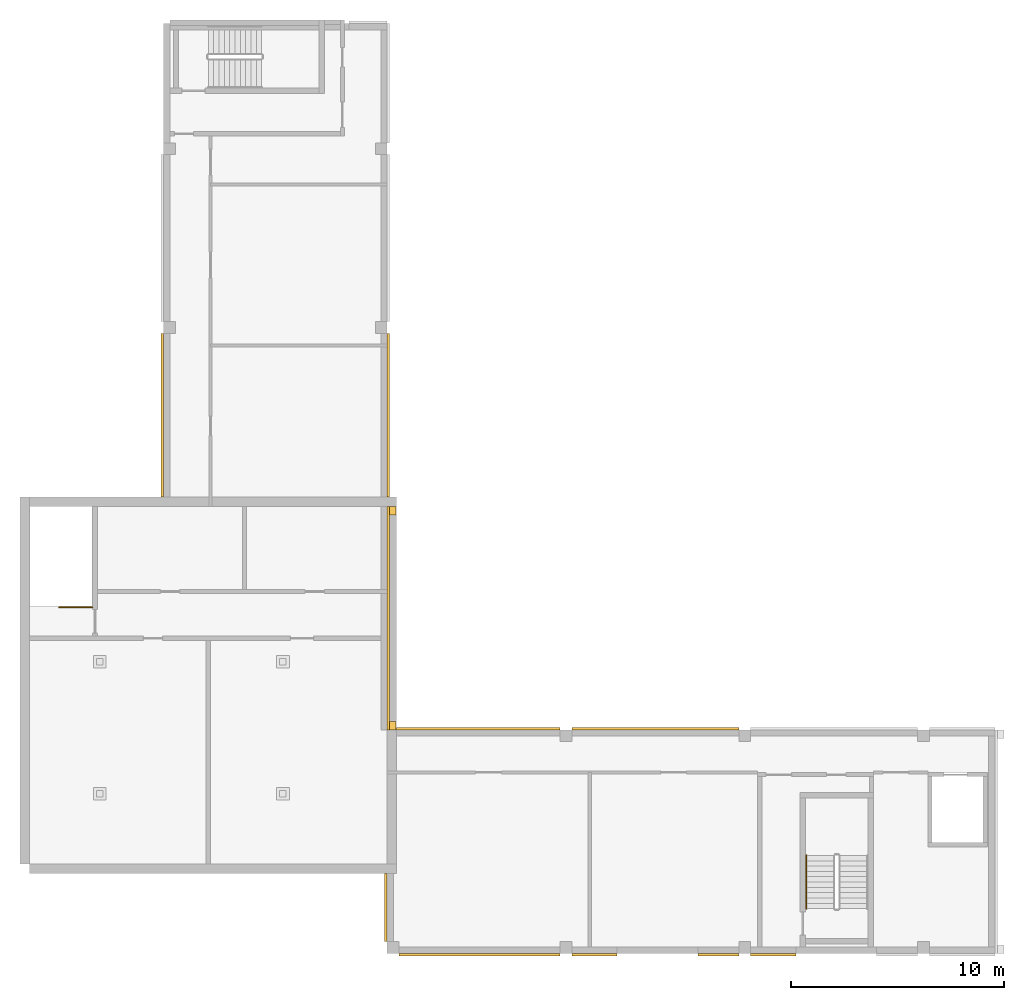
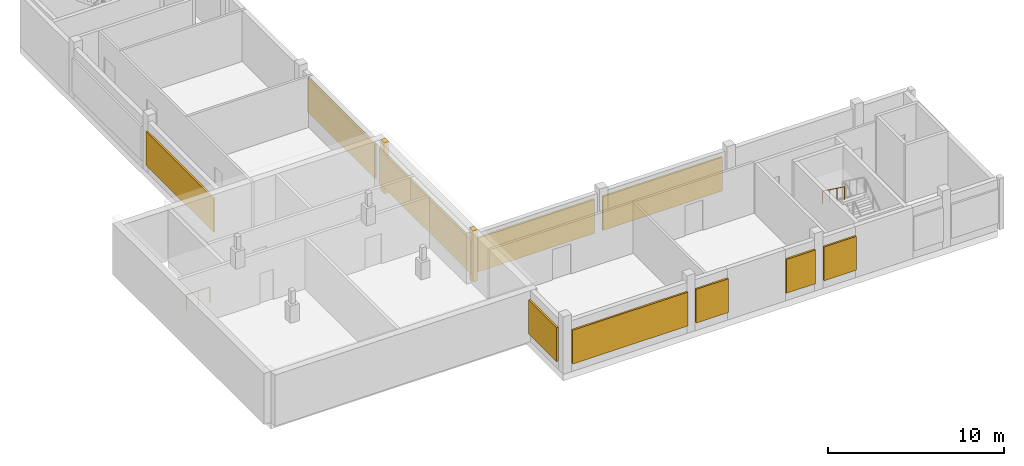
# One storey, part 3 of 5: 12 coverings, 2 railings.
"""IFC4 building model written with IfcOpenShell, lengths in metres."""

import ifcopenshell
import ifcopenshell.guid

model = None  # the IFC model being written
_history = None  # IfcOwnerHistory: only IFC2X3 demands one
_inside = {}  # id of a spatial element -> (the spatial element, [elements in it])
_under = {}  # id of a project, library or spatial element -> (it, [spatial elements below it])
_declared = {}  # id of a project -> (the project, [libraries it declares])
_typed = {}  # id of a type object -> (the type object, [elements of that type])
_made_of = {}  # id of a material, layer set ... -> (it, [elements and type objects made of it])


def new_model(schema):
    """Start an empty IFC model of exactly this schema.

    Asked for "IFC4X3", IfcOpenShell would pick the latest addendum, in which some entities
    have other attributes; the version numbers below select the first issue.
    IFC2X3 requires an IfcOwnerHistory on every rooted entity: one is made here for all.
    """
    global model, _history
    if schema == "IFC4X3":
        model = ifcopenshell.file(schema_version=(4, 3, 0, 0))
    else:
        model = ifcopenshell.file(schema=schema)
    _inside.clear()
    _under.clear()
    _declared.clear()
    _typed.clear()
    _made_of.clear()
    _history = None
    if model.schema == "IFC2X3":
        org = make("IfcOrganization", Name="unknown")
        user = make(
            "IfcPersonAndOrganization",
            ThePerson=make("IfcPerson", FamilyName="unknown"),
            TheOrganization=org,
        )
        app = make(
            "IfcApplication",
            ApplicationDeveloper=org,
            Version="unknown",
            ApplicationFullName="unknown",
            ApplicationIdentifier="unknown",
        )
        _history = make(
            "IfcOwnerHistory",
            OwningUser=user,
            OwningApplication=app,
            ChangeAction="ADDED",
            CreationDate=0,
        )
    return model


def make(cls, **values):
    """One entity of the class cls with the attributes given. An attribute that is None is left unset."""
    return model.create_entity(
        cls, **{name: value for name, value in values.items() if value is not None}
    )


def rooted(cls, **values):
    """An entity with a GlobalId (a new one), such as an element, a storey or a relation."""
    return make(cls, GlobalId=ifcopenshell.guid.new(), OwnerHistory=_history, **values)


def si_unit(unit_type, name, prefix=None):
    """IfcSIUnit, for example si_unit("LENGTHUNIT", "METRE", prefix="MILLI")."""
    return make("IfcSIUnit", UnitType=unit_type, Prefix=prefix, Name=name)


def assignment(units):
    """IfcUnitAssignment: the units of a project."""
    return None if units is None else make("IfcUnitAssignment", Units=units)


def point(xyz):
    """IfcCartesianPoint."""
    return None if xyz is None else make("IfcCartesianPoint", Coordinates=xyz)


def direction(xyz):
    """IfcDirection."""
    return None if xyz is None else make("IfcDirection", DirectionRatios=xyz)


def frame(location, z_axis=None, x_axis=None):
    """IfcAxis2Placement3D, a coordinate frame: its origin and axes. An axis left out is left unset."""
    return make(
        "IfcAxis2Placement3D",
        Location=point(location),
        Axis=direction(z_axis),
        RefDirection=direction(x_axis),
    )


def frame_2d(location, x_axis=None):
    """IfcAxis2Placement2D, a coordinate frame in the plane: its origin and x axis."""
    return make(
        "IfcAxis2Placement2D", Location=point(location), RefDirection=direction(x_axis)
    )


def origin():
    """The frame at (0, 0, 0) with its axes left unset."""
    return frame((0.0, 0.0, 0.0))


def origin_2d():
    """The frame at (0, 0) in the plane with its x axis left unset."""
    return frame_2d((0.0, 0.0))


def place(relative_to, where):
    """IfcLocalPlacement: puts the frame where relative to a parent placement (None: the world)."""
    return make(
        "IfcLocalPlacement", PlacementRelTo=relative_to, RelativePlacement=where
    )


def context(
    kind, dimensions, precision=None, world=None, true_north=None, identifier=None
):
    """IfcGeometricRepresentationContext, for example the 3D "Model" context."""
    return make(
        "IfcGeometricRepresentationContext",
        ContextIdentifier=identifier,
        ContextType=kind,
        CoordinateSpaceDimension=dimensions,
        Precision=precision,
        WorldCoordinateSystem=world,
        TrueNorth=true_north,
    )


def subcontext(parent, identifier, kind, view, scale=None):
    """IfcGeometricRepresentationSubContext, for example "Body" below "Model"."""
    return make(
        "IfcGeometricRepresentationSubContext",
        ContextIdentifier=identifier,
        ContextType=kind,
        ParentContext=parent,
        TargetScale=scale,
        TargetView=view,
    )


def project(units=None, contexts=None):
    """IfcProject with its units and contexts."""
    return rooted(
        "IfcProject",
        Name="project",
        RepresentationContexts=contexts,
        UnitsInContext=assignment(units),
    )


def spatial(cls, under=None, at=None, **own):
    """A site, building, storey or space (cls), placed at a placement, below another one or the project."""
    s = rooted(cls, ObjectPlacement=at, **own)
    if under is not None:
        _under.setdefault(under.id(), (under, []))[1].append(s)
    return s


def profile(cls, at=None, kind="AREA", **sizes):
    """A parametric profile (cls). Its sizes go by their IFC names, for example OverallWidth=200.0."""
    return make(cls, ProfileType=kind, Position=at, **sizes)


def rectangle(**sizes):
    """IfcRectangleProfileDef."""
    return profile("IfcRectangleProfileDef", **sizes)


def circle(**sizes):
    """IfcCircleProfileDef."""
    return profile("IfcCircleProfileDef", **sizes)


def extrude(swept, where, along, depth):
    """IfcExtrudedAreaSolid: the profile swept, set in the frame where, extruded along a direction by depth."""
    return make(
        "IfcExtrudedAreaSolid",
        SweptArea=swept,
        Position=where,
        ExtrudedDirection=direction(along),
        Depth=depth,
    )


def shape(context_of_items, identifier, shape_type, items):
    """IfcShapeRepresentation: the items that make up one representation, for example the "Body"."""
    return make(
        "IfcShapeRepresentation",
        ContextOfItems=context_of_items,
        RepresentationIdentifier=identifier,
        RepresentationType=shape_type,
        Items=items,
    )


def source(mapping_origin, context_of_items, identifier, shape_type, items):
    """IfcRepresentationMap: a shape defined once, which mapped items show again and again."""
    return make(
        "IfcRepresentationMap",
        MappingOrigin=mapping_origin,
        MappedRepresentation=shape(context_of_items, identifier, shape_type, items),
    )


def transform(
    local_origin,
    x_axis=None,
    y_axis=None,
    z_axis=None,
    scale=None,
    scale2=None,
    scale3=None,
    uniform=True,
):
    """IfcCartesianTransformationOperator3D, or its non-uniform kind. x_axis, y_axis, z_axis: its Axis1, 2, 3."""
    if uniform:
        return make(
            "IfcCartesianTransformationOperator3D",
            Axis1=direction(x_axis),
            Axis2=direction(y_axis),
            LocalOrigin=point(local_origin),
            Scale=scale,
            Axis3=direction(z_axis),
        )
    return make(
        "IfcCartesianTransformationOperator3DnonUniform",
        Axis1=direction(x_axis),
        Axis2=direction(y_axis),
        LocalOrigin=point(local_origin),
        Scale=scale,
        Axis3=direction(z_axis),
        Scale2=scale2,
        Scale3=scale3,
    )


def mapped(mapping_source, mapping_target):
    """IfcMappedItem: shows the shape of a source again, moved by a transform."""
    return make(
        "IfcMappedItem", MappingSource=mapping_source, MappingTarget=mapping_target
    )


def material(Name=None, Category=None):
    """IfcMaterial."""
    return make("IfcMaterial", Name=Name, Category=Category)


def made_of(thing, what):
    """Note that an element or type object is made of a material, layer set ...; save() writes the relation."""
    if what is not None:
        _made_of.setdefault(what.id(), (what, []))[1].append(thing)
    return thing


def type_object(cls, material=None, **own):
    """A type object (cls), such as IfcWallType, which elements share."""
    return made_of(rooted(cls, **own), material)


def element(
    cls,
    number,
    at=None,
    inside=None,
    cuts=None,
    type_object=None,
    material=None,
    context=None,
    identifier="Body",
    shape_type=None,
    held_by="IfcProductDefinitionShape",
    body=None,
    shapes=None,
    **own,
):
    """One element of the class cls, such as IfcWall. Its Tag is "e" and its number.

    at: its placement. inside: the storey or other place that contains it. cuts: it is an
    opening in that element (IfcRelVoidsElement). A single representation is given by context,
    identifier, shape_type and body (its items); several are given by shapes. held_by: the class
    of the entity that holds the representations. save() writes the other relations.
    """
    e = rooted(cls, Tag="e%d" % number, ObjectPlacement=at, **own)
    if body is not None:
        shapes = [shape(context, identifier, shape_type, body)]
    if shapes is not None:
        e.Representation = make(held_by, Representations=shapes)
    if inside is not None:
        _inside.setdefault(inside.id(), (inside, []))[1].append(e)
    if cuts is not None:
        rooted(
            "IfcRelVoidsElement", RelatingBuildingElement=cuts, RelatedOpeningElement=e
        )
    if type_object is not None:
        _typed.setdefault(type_object.id(), (type_object, []))[1].append(e)
    return made_of(e, material)


def aggregate(whole, parts):
    """IfcRelAggregates: a whole, such as a stair, and the parts it consists of."""
    return rooted("IfcRelAggregates", RelatingObject=whole, RelatedObjects=parts)


def save(model, path):
    """Write the relations noted so far, then the file.

    IfcRelAggregates (storeys below a building ...), IfcRelContainedInSpatialStructure (elements
    in a storey), IfcRelDefinesByType, IfcRelAssociatesMaterial and IfcRelDeclares: one each for
    every whole, place, type object, material and project.
    """
    for whole, parts in _under.values():
        aggregate(whole, parts)
    for where, things in _inside.values():
        rooted(
            "IfcRelContainedInSpatialStructure",
            RelatedElements=things,
            RelatingStructure=where,
        )
    for kind, things in _typed.values():
        rooted("IfcRelDefinesByType", RelatedObjects=things, RelatingType=kind)
    for what, things in _made_of.values():
        rooted("IfcRelAssociatesMaterial", RelatedObjects=things, RelatingMaterial=what)
    for by, libraries in _declared.values():
        rooted("IfcRelDeclares", RelatingContext=by, RelatedDefinitions=libraries)
    model.write(path)


model = new_model("IFC4")

# Units and contexts
model_context = context("Model", 3, precision=1e-05, world=origin(), true_north=direction((0.0, 1.0)))
body_context = subcontext(model_context, "Body", "Model", "MODEL_VIEW")
ifc_project = project(units=[si_unit("LENGTHUNIT", "METRE"), si_unit("AREAUNIT", "SQUARE_METRE"), si_unit("VOLUMEUNIT", "CUBIC_METRE"), si_unit("PLANEANGLEUNIT", "RADIAN"), si_unit("MASSUNIT", "GRAM", prefix="KILO")], contexts=[model_context])

# Site, building, storey
site_placement = place(None, origin())
site = spatial("IfcSite", under=ifc_project, at=site_placement, CompositionType="ELEMENT")
building_placement = place(site_placement, origin())
building = spatial("IfcBuilding", under=site, at=building_placement, Name="Aurelian Terraces", CompositionType="ELEMENT")
storey_placement = place(building_placement, frame((0.0, 0.0, 372.5)))
storey = spatial("IfcBuildingStorey", under=building, at=storey_placement, Name="L89", CompositionType="ELEMENT", Elevation=372.5)

# Coverings
ifc_material_1 = material(Name="Terracotta rainscreen cladding louvre blades", Category="masonry")
covering_type_1 = type_object("IfcCoveringType", Name="LOUVRE-TC", PredefinedType="CLADDING", material=ifc_material_1)
covering_1_placement = place(storey_placement, frame((25.3375, -0.06, 0.6), z_axis=(0.0, 0.0, 1.0), x_axis=(1.0, 0.0, 0.0)))
element("IfcCovering", 1, at=covering_1_placement, inside=storey, type_object=covering_type_1, Name="LOUVRE L89 F01", PredefinedType="CLADDING", context=body_context, shape_type="SweptSolid", body=[
    extrude(rectangle(XDim=7.575, YDim=0.12, at=origin_2d()), origin(), (0.0, 0.0, 1.0), 2.35),
])
covering_2_placement = place(storey_placement, frame((30.7375, -0.06, 0.6), z_axis=(0.0, 0.0, 1.0), x_axis=(1.0, 0.0, 0.0)))
element("IfcCovering", 2, at=covering_2_placement, inside=storey, type_object=covering_type_1, Name="LOUVRE L89 F01", PredefinedType="CLADDING", context=body_context, shape_type="SweptSolid", body=[
    extrude(rectangle(XDim=2.125, YDim=0.12, at=origin_2d()), origin(), (0.0, 0.0, 1.0), 2.35),
])
covering_3_placement = place(storey_placement, frame((36.5625, -0.06, 0.6), z_axis=(0.0, 0.0, 1.0), x_axis=(1.0, 0.0, 0.0)))
element("IfcCovering", 3, at=covering_3_placement, inside=storey, type_object=covering_type_1, Name="LOUVRE L89 F01", PredefinedType="CLADDING", context=body_context, shape_type="SweptSolid", body=[
    extrude(rectangle(XDim=1.925, YDim=0.12, at=origin_2d()), origin(), (0.0, 0.0, 1.0), 2.35),
])
covering_4_placement = place(storey_placement, frame((25.2875, 10.56, 0.6), z_axis=(0.0, 0.0, 1.0), x_axis=(1.0, 0.0, 0.0)))
element("IfcCovering", 4, at=covering_4_placement, inside=storey, type_object=covering_type_1, Name="LOUVRE L89 F03", PredefinedType="CLADDING", context=body_context, shape_type="SweptSolid", body=[
    extrude(rectangle(XDim=7.675, YDim=0.12, at=origin_2d()), origin(), (0.0, 0.0, 1.0), 2.35),
])
covering_5_placement = place(storey_placement, frame((21.06, 25.2875, 0.6), z_axis=(0.0, 0.0, 1.0), x_axis=(1.0, 0.0, 0.0)))
element("IfcCovering", 5, at=covering_5_placement, inside=storey, type_object=covering_type_1, Name="LOUVRE L89 F04", PredefinedType="CLADDING", context=body_context, shape_type="SweptSolid", body=[
    extrude(rectangle(XDim=0.12, YDim=7.675, at=origin_2d()), origin(), (0.0, 0.0, 1.0), 2.35),
])
covering_6_placement = place(storey_placement, frame((20.94, 2.15, 0.6), z_axis=(0.0, 0.0, 1.0), x_axis=(1.0, 0.0, 0.0)))
element("IfcCovering", 6, at=covering_6_placement, inside=storey, type_object=covering_type_1, Name="LOUVRE L89 F10", PredefinedType="CLADDING", context=body_context, shape_type="SweptSolid", body=[
    extrude(rectangle(XDim=0.12, YDim=3.2, at=origin_2d()), origin(), (0.0, 0.0, 1.0), 2.35),
])

# Railing
ifc_material_2 = material(Name="Stainless steel", Category="steel")
railing_type_1 = type_object("IfcRailingType", Name="Stair guard 1100", PredefinedType="GUARDRAIL", material=ifc_material_2)
railing_1_placement = place(storey_placement, frame((7.15, 16.25, 0.0)))
element("IfcRailing", 7, at=railing_1_placement, inside=storey, type_object=railing_type_1, Name="L89 S1 top well guard 1", PredefinedType="GUARDRAIL", context=body_context, shape_type="SweptSolid", body=[
    extrude(circle(Radius=0.024, at=origin_2d()), frame((0.0, 0.0, 1.076), z_axis=(-1.0, 0.0, 0.0), x_axis=(0.0, -1.0, 0.0)), (0.0, 0.0, 1.0), 1.55),
    extrude(circle(Radius=0.021, at=origin_2d()), origin(), (0.0, 0.0, 1.0), 1.052),
    extrude(circle(Radius=0.021, at=origin_2d()), frame((-0.775, 0.0, 0.0)), (0.0, 0.0, 1.0), 1.052),
    extrude(circle(Radius=0.021, at=origin_2d()), frame((-1.55, 0.0, 0.0)), (0.0, 0.0, 1.0), 1.052),
])

# Coverings
shared_shape_1 = source(origin(), body_context, "Body", "SweptSolid", [
    extrude(rectangle(XDim=2.125, YDim=0.12, at=origin_2d()), origin(), (0.0, 0.0, 1.0), 2.35),
])
covering_7_placement = place(storey_placement, frame((39.1375, -0.06, 0.6), z_axis=(0.0, 0.0, 1.0), x_axis=(1.0, 0.0, 0.0)))
element("IfcCovering", 8, at=covering_7_placement, inside=storey, type_object=covering_type_1, Name="LOUVRE L89 F01", PredefinedType="CLADDING", context=body_context, shape_type="MappedRepresentation", body=[
    mapped(shared_shape_1, transform((0.0, 0.0, 0.0), scale=1.0)),
])
ifc_material_3 = material(Name="Terracotta rainscreen cladding relief", Category="masonry")
covering_type_2 = type_object("IfcCoveringType", Name="FIN-TC", PredefinedType="CLADDING", material=ifc_material_3)
shared_shape_2 = source(origin(), body_context, "Body", "SweptSolid", [
    extrude(rectangle(XDim=0.3, YDim=0.4, at=origin_2d()), origin(), (0.0, 0.0, 1.0), 3.55),
])
for number, where, z_axis, x_axis, name in (
    (9, (21.27, 10.7, 0.0), (0.0, 0.0, 1.0), (1.0, 0.0, 0.0), "FIN crown L89 F04"),
    (10, (21.27, 20.8, 0.0), (0.0, 0.0, 1.0), (1.0, 0.0, 0.0), "FIN crown L89 F04"),
):
    element("IfcCovering", number, at=place(storey_placement, frame(where, z_axis=z_axis, x_axis=x_axis)), inside=storey, type_object=covering_type_2, Name=name, PredefinedType="CLADDING", context=body_context, shape_type="MappedRepresentation", body=[
        mapped(shared_shape_2, transform((0.0, 0.0, 0.0), scale=1.0)),
    ])
shared_shape_3 = source(origin(), body_context, "Body", "SweptSolid", [
    extrude(rectangle(XDim=7.85, YDim=0.12, at=origin_2d()), origin(), (0.0, 0.0, 1.0), 2.35),
])
covering_8_placement = place(storey_placement, frame((33.6, 10.56, 0.6), z_axis=(0.0, 0.0, 1.0), x_axis=(1.0, 0.0, 0.0)))
element("IfcCovering", 11, at=covering_8_placement, inside=storey, type_object=covering_type_1, Name="LOUVRE L89 F03", PredefinedType="CLADDING", context=body_context, shape_type="MappedRepresentation", body=[
    mapped(shared_shape_3, transform((0.0, 0.0, 0.0), scale=1.0)),
])
shared_shape_4 = source(origin(), body_context, "Body", "SweptSolid", [
    extrude(rectangle(XDim=0.12, YDim=10.5, at=origin_2d()), origin(), (0.0, 0.0, 1.0), 2.35),
])
covering_9_placement = place(storey_placement, frame((21.06, 15.75, 0.6), z_axis=(0.0, 0.0, 1.0), x_axis=(1.0, 0.0, 0.0)))
element("IfcCovering", 12, at=covering_9_placement, inside=storey, type_object=covering_type_1, Name="LOUVRE L89 F04", PredefinedType="CLADDING", context=body_context, shape_type="MappedRepresentation", body=[
    mapped(shared_shape_4, transform((0.0, 0.0, 0.0), scale=1.0)),
])
shared_shape_5 = source(origin(), body_context, "Body", "SweptSolid", [
    extrude(rectangle(XDim=0.12, YDim=7.675, at=origin_2d()), origin(), (0.0, 0.0, 1.0), 2.35),
])
covering_10_placement = place(storey_placement, frame((10.44, 25.2875, 0.6), z_axis=(0.0, 0.0, 1.0), x_axis=(1.0, 0.0, 0.0)))
element("IfcCovering", 13, at=covering_10_placement, inside=storey, type_object=covering_type_1, Name="LOUVRE L89 F06", PredefinedType="CLADDING", context=body_context, shape_type="MappedRepresentation", body=[
    mapped(shared_shape_5, transform((0.0, 0.0, 0.0), scale=1.0)),
])

# Railing
railing_type_2 = type_object("IfcRailingType", Name="Stair handrail", PredefinedType="HANDRAIL", material=ifc_material_2)
shared_shape_6 = source(origin(), body_context, "Body", "SweptSolid", [
    extrude(circle(Radius=0.024, at=origin_2d()), frame((0.0, 0.0, 0.876), z_axis=(0.0, -0.808733286514, 0.588175544616), x_axis=(1.0, 0.0, 0.0)), (0.0, 0.0, 1.0), 3.0913),
    extrude(circle(Radius=0.021, at=origin_2d()), origin(), (0.0, 0.0, 1.0), 0.852),
    extrude(circle(Radius=0.021, at=origin_2d()), frame((0.0, -0.8333, 0.6061)), (0.0, 0.0, 1.0), 0.852),
    extrude(circle(Radius=0.021, at=origin_2d()), frame((0.0, -1.6667, 1.2121)), (0.0, 0.0, 1.0), 0.852),
    extrude(circle(Radius=0.021, at=origin_2d()), frame((0.0, -2.5, 1.8182)), (0.0, 0.0, 1.0), 0.852),
])
railing_2_placement = place(storey_placement, frame((40.7, 4.6, 2.1818)))
element("IfcRailing", 14, at=railing_2_placement, inside=storey, type_object=railing_type_2, Name="L89 S2 stair handrail 2", PredefinedType="HANDRAIL", context=body_context, shape_type="MappedRepresentation", body=[
    mapped(shared_shape_6, transform((0.0, 0.0, 0.0), scale=1.0)),
])

save(model, "model.ifc")
